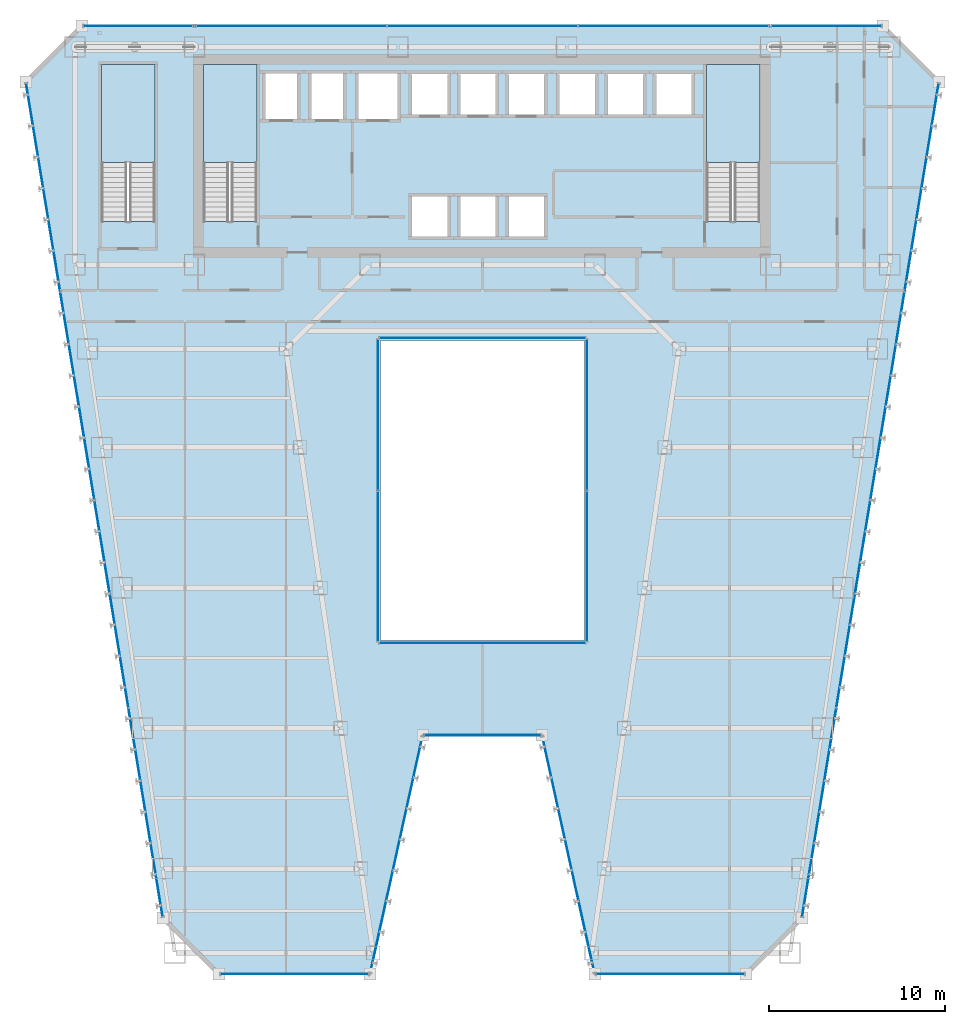
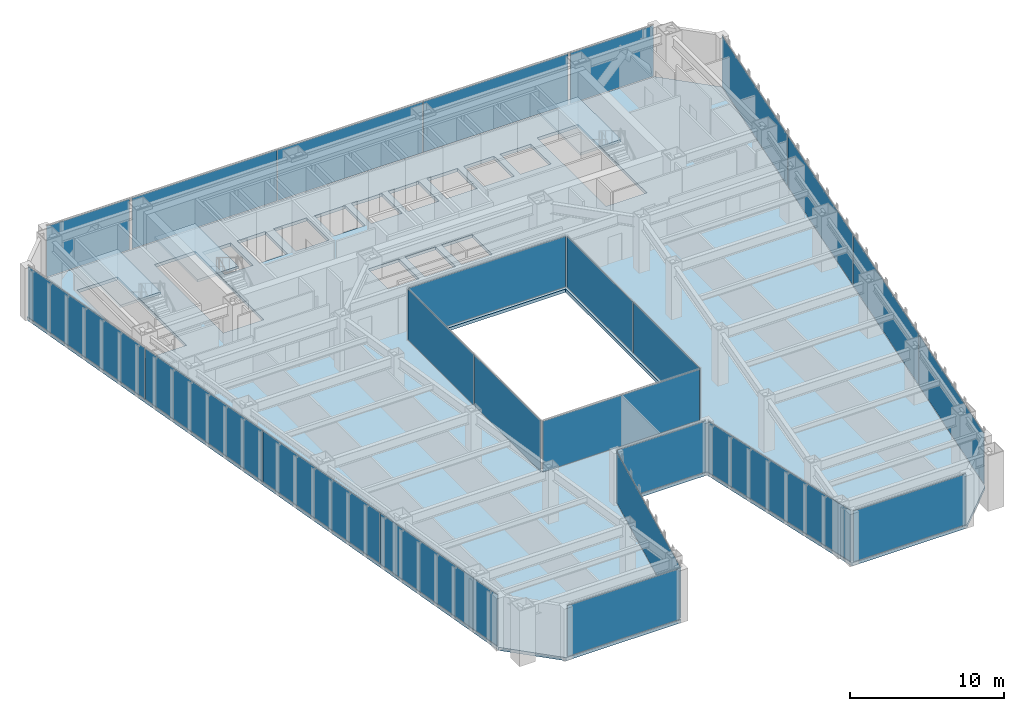
# One storey, part 34 of 47: 24 plates, 4 slabs, 17 elements without a shape of their own.
"""IFC4 building model written with IfcOpenShell, lengths in metres."""

from ifc_helpers import new_model, si_unit, direction, frame, origin, origin_2d, place, context, subcontext, project, spatial, polyline, rectangle, outline, extrude, material, layer, layer_set, type_object, element, aggregate, save


model = new_model("IFC4")

# Units and contexts
model_context = context("Model", 3, precision=1e-05, world=origin(), true_north=direction((0.0, 1.0)))
body_context = subcontext(model_context, "Body", "Model", "MODEL_VIEW")
ifc_project = project(units=[si_unit("LENGTHUNIT", "METRE"), si_unit("AREAUNIT", "SQUARE_METRE"), si_unit("VOLUMEUNIT", "CUBIC_METRE"), si_unit("PLANEANGLEUNIT", "RADIAN"), si_unit("MASSUNIT", "GRAM", prefix="KILO")], contexts=[model_context])

# Site, building, storey
site_placement = place(None, origin())
site = spatial("IfcSite", under=ifc_project, at=site_placement, CompositionType="ELEMENT")
building_placement = place(site_placement, origin())
building = spatial("IfcBuilding", under=site, at=building_placement, Name="Saevonmaru Cultural Tower", CompositionType="ELEMENT")
storey_placement = place(building_placement, frame((0.0, 0.0, 42.800048828125)))
storey = spatial("IfcBuildingStorey", under=building, at=storey_placement, Name="L08", CompositionType="ELEMENT", Elevation=42.800048828125)

# Curtain wall, plate
ifc_material_1 = material(Name="Satin Bronze Anodised Aluminium", Category="aluminium")
curtain_wall_type_1 = type_object("IfcCurtainWallType", Name="CW-ATR-GLZ", PredefinedType="NOTDEFINED", material=ifc_material_1)
curtain_wall_1_placement = place(storey_placement, origin())
curtain_wall_1 = element("IfcCurtainWall", 1, at=curtain_wall_1_placement, inside=storey, type_object=curtain_wall_type_1, Name="L08 Vertical Atrium Glazed Smoke Screen 1", PredefinedType="NOTDEFINED")
ifc_material_2 = material(Name="Fire-Rated Laminated Atrium Glass", Category="glass")
ifc_layer_1 = layer(ifc_material_2, 0.031982421875, Name="Fire-Rated Laminated Atrium Glass")
ifc_layer_set_1 = layer_set([ifc_layer_1], Name="Fire-Rated Laminated Atrium Glass")
plate_type_1 = type_object("IfcPlateType", Name="PN-GLZ-ATR-INT", PredefinedType="CURTAIN_PANEL", material=ifc_layer_set_1)
plate_1_placement = place(storey_placement, frame((30.0, 20.85009765625, 0.06689453125), z_axis=(0.0, 0.0, 1.0), x_axis=(1.0, 0.0, 0.0)))
plate_1 = element("IfcPlate", 2, at=plate_1_placement, type_object=plate_type_1, Name="CW-ATR-L08-1 panel 1.1", PredefinedType="CURTAIN_PANEL", context=body_context, shape_type="SweptSolid", body=[
    extrude(rectangle(XDim=11.7109375, YDim=0.031982421875, at=origin_2d()), origin(), (0.0, 0.0, 1.0), 4.01611328125),
])
aggregate(curtain_wall_1, [plate_1])

# Curtain wall, plates
curtain_wall_2_placement = place(storey_placement, origin())
curtain_wall_2 = element("IfcCurtainWall", 3, at=curtain_wall_2_placement, inside=storey, type_object=curtain_wall_type_1, Name="L08 Vertical Atrium Glazed Smoke Screen 2", PredefinedType="NOTDEFINED")
plate_2_placement = place(storey_placement, frame((35.949951171875, 25.22509765625, 0.06689453125), z_axis=(0.0, 0.0, 1.0), x_axis=(0.0, 1.0, 0.0)))
plate_2 = element("IfcPlate", 4, at=plate_2_placement, type_object=plate_type_1, Name="CW-ATR-L08-2 panel 1.1", PredefinedType="CURTAIN_PANEL", context=body_context, shape_type="SweptSolid", body=[
    extrude(rectangle(XDim=8.56103515625, YDim=0.031982421875, at=origin_2d()), origin(), (0.0, 0.0, 1.0), 4.01611328125),
])
plate_3_placement = place(storey_placement, frame((35.949951171875, 33.85498046875, 0.06689453125), z_axis=(0.0, 0.0, 1.0), x_axis=(0.0, 1.0, 0.0)))
plate_3 = element("IfcPlate", 5, at=plate_3_placement, type_object=plate_type_1, Name="CW-ATR-L08-2 panel 2.1", PredefinedType="CURTAIN_PANEL", context=body_context, shape_type="SweptSolid", body=[
    extrude(rectangle(XDim=8.56103515625, YDim=0.031982421875, at=origin_2d()), origin(), (0.0, 0.0, 1.0), 4.01611328125),
])
aggregate(curtain_wall_2, [plate_2, plate_3])

# Curtain wall, plate
curtain_wall_3_placement = place(storey_placement, origin())
curtain_wall_3 = element("IfcCurtainWall", 6, at=curtain_wall_3_placement, inside=storey, type_object=curtain_wall_type_1, Name="L08 Vertical Atrium Glazed Smoke Screen 3", PredefinedType="NOTDEFINED")
plate_4_placement = place(storey_placement, frame((30.0, 38.22998046875, 0.06689453125), z_axis=(0.0, 0.0, 1.0), x_axis=(-1.0, 0.0, 0.0)))
plate_4 = element("IfcPlate", 7, at=plate_4_placement, type_object=plate_type_1, Name="CW-ATR-L08-3 panel 1.1", PredefinedType="CURTAIN_PANEL", context=body_context, shape_type="SweptSolid", body=[
    extrude(rectangle(XDim=11.7109375, YDim=0.031982421875, at=origin_2d()), origin(), (0.0, 0.0, 1.0), 4.01611328125),
])
aggregate(curtain_wall_3, [plate_4])

# Curtain wall, plates
curtain_wall_4_placement = place(storey_placement, origin())
curtain_wall_4 = element("IfcCurtainWall", 8, at=curtain_wall_4_placement, inside=storey, type_object=curtain_wall_type_1, Name="L08 Vertical Atrium Glazed Smoke Screen 4", PredefinedType="NOTDEFINED")
plate_5_placement = place(storey_placement, frame((24.050048828125, 33.85498046875, 0.06689453125), z_axis=(0.0, 0.0, 1.0), x_axis=(0.0, -1.0, 0.0)))
plate_5 = element("IfcPlate", 9, at=plate_5_placement, type_object=plate_type_1, Name="CW-ATR-L08-4 panel 1.1", PredefinedType="CURTAIN_PANEL", context=body_context, shape_type="SweptSolid", body=[
    extrude(rectangle(XDim=8.56103515625, YDim=0.031982421875, at=origin_2d()), origin(), (0.0, 0.0, 1.0), 4.01611328125),
])
plate_6_placement = place(storey_placement, frame((24.050048828125, 25.22509765625, 0.06689453125), z_axis=(0.0, 0.0, 1.0), x_axis=(0.0, -1.0, 0.0)))
plate_6 = element("IfcPlate", 10, at=plate_6_placement, type_object=plate_type_1, Name="CW-ATR-L08-4 panel 2.1", PredefinedType="CURTAIN_PANEL", context=body_context, shape_type="SweptSolid", body=[
    extrude(rectangle(XDim=8.56103515625, YDim=0.031982421875, at=origin_2d()), origin(), (0.0, 0.0, 1.0), 4.01611328125),
])
aggregate(curtain_wall_4, [plate_5, plate_6])

# Curtain wall, plate
curtain_wall_type_2 = type_object("IfcCurtainWallType", Name="CW-TYP-A", PredefinedType="NOTDEFINED", material=ifc_material_1)
curtain_wall_5_placement = place(storey_placement, origin())
curtain_wall_5 = element("IfcCurtainWall", 11, at=curtain_wall_5_placement, inside=storey, type_object=curtain_wall_type_2, Name="L08 Unitised Curtain Wall E2", PredefinedType="NOTDEFINED")
ifc_material_3 = material(Name="Triple Silver Low-E Insulating Glass", Category="glass")
ifc_layer_2 = layer(ifc_material_3, 0.035888671875, Name="Triple Silver Low-E Insulating Glass")
ifc_layer_set_2 = layer_set([ifc_layer_2], Name="Triple Silver Low-E Insulating Glass")
plate_type_2 = type_object("IfcPlateType", Name="PN-GLZ-IGU", PredefinedType="CURTAIN_PANEL", material=ifc_layer_set_2)
plate_7_placement = place(storey_placement, frame((19.300048828125, 2.0, 0.06689453125), z_axis=(0.0, 0.0, 1.0), x_axis=(1.0, 0.0, 0.0)))
plate_7 = element("IfcPlate", 12, at=plate_7_placement, type_object=plate_type_2, Name="CW-TW-L08-E2 panel 1.1", PredefinedType="CURTAIN_PANEL", context=body_context, shape_type="SweptSolid", body=[
    extrude(rectangle(XDim=8.410888671875, YDim=0.035888671875, at=origin_2d()), origin(), (0.0, 0.0, 1.0), 4.01611328125),
])
aggregate(curtain_wall_5, [plate_7])

curtain_wall_6_placement = place(storey_placement, origin())
curtain_wall_6 = element("IfcCurtainWall", 13, at=curtain_wall_6_placement, inside=storey, type_object=curtain_wall_type_2, Name="L08 Unitised Curtain Wall E3", PredefinedType="NOTDEFINED")
plate_8_placement = place(storey_placement, frame((25.10009765625, 8.800048828125, 0.06689453125), z_axis=(0.0, 0.0, 1.0), x_axis=(0.215413319953, 0.976522965212, 0.0)))
plate_8 = element("IfcPlate", 14, at=plate_8_placement, type_object=plate_type_2, Name="CW-TW-L08-E3 panel 1.1", PredefinedType="CURTAIN_PANEL", context=body_context, shape_type="SweptSolid", body=[
    extrude(rectangle(XDim=13.738037109375, YDim=0.035888671875, at=origin_2d()), origin(), (0.0, 0.0, 1.0), 4.01611328125),
])
aggregate(curtain_wall_6, [plate_8])

curtain_wall_7_placement = place(storey_placement, origin())
curtain_wall_7 = element("IfcCurtainWall", 15, at=curtain_wall_7_placement, inside=storey, type_object=curtain_wall_type_2, Name="L08 Unitised Curtain Wall E4", PredefinedType="NOTDEFINED")
plate_9_placement = place(storey_placement, frame((30.0, 15.60009765625, 0.06689453125), z_axis=(0.0, 0.0, 1.0), x_axis=(1.0, 0.0, 0.0)))
plate_9 = element("IfcPlate", 16, at=plate_9_placement, type_object=plate_type_2, Name="CW-TW-L08-E4 panel 1.1", PredefinedType="CURTAIN_PANEL", context=body_context, shape_type="SweptSolid", body=[
    extrude(rectangle(XDim=6.611083984375, YDim=0.035888671875, at=origin_2d()), origin(), (0.0, 0.0, 1.0), 4.01611328125),
])
aggregate(curtain_wall_7, [plate_9])

curtain_wall_8_placement = place(storey_placement, origin())
curtain_wall_8 = element("IfcCurtainWall", 17, at=curtain_wall_8_placement, inside=storey, type_object=curtain_wall_type_2, Name="L08 Unitised Curtain Wall E5", PredefinedType="NOTDEFINED")
plate_10_placement = place(storey_placement, frame((34.89990234375, 8.800048828125, 0.06689453125), z_axis=(0.0, 0.0, 1.0), x_axis=(0.215413319953, -0.976522965212, 0.0)))
plate_10 = element("IfcPlate", 18, at=plate_10_placement, type_object=plate_type_2, Name="CW-TW-L08-E5 panel 1.1", PredefinedType="CURTAIN_PANEL", context=body_context, shape_type="SweptSolid", body=[
    extrude(rectangle(XDim=13.738037109375, YDim=0.035888671875, at=origin_2d()), origin(), (0.0, 0.0, 1.0), 4.01611328125),
])
aggregate(curtain_wall_8, [plate_10])

curtain_wall_9_placement = place(storey_placement, origin())
curtain_wall_9 = element("IfcCurtainWall", 19, at=curtain_wall_9_placement, inside=storey, type_object=curtain_wall_type_2, Name="L08 Unitised Curtain Wall E6", PredefinedType="NOTDEFINED")
plate_11_placement = place(storey_placement, frame((40.699951171875, 2.0, 0.06689453125), z_axis=(0.0, 0.0, 1.0), x_axis=(1.0, 0.0, 0.0)))
plate_11 = element("IfcPlate", 20, at=plate_11_placement, type_object=plate_type_2, Name="CW-TW-L08-E6 panel 1.1", PredefinedType="CURTAIN_PANEL", context=body_context, shape_type="SweptSolid", body=[
    extrude(rectangle(XDim=8.410888671875, YDim=0.035888671875, at=origin_2d()), origin(), (0.0, 0.0, 1.0), 4.01611328125),
])
aggregate(curtain_wall_9, [plate_11])

# Curtain wall, plates
curtain_wall_10_placement = place(storey_placement, origin())
curtain_wall_10 = element("IfcCurtainWall", 21, at=curtain_wall_10_placement, inside=storey, type_object=curtain_wall_type_2, Name="L08 Unitised Curtain Wall E8", PredefinedType="NOTDEFINED")
plate_12_placement = place(storey_placement, frame((49.182373046875, 11.1943359375, 0.06689453125), z_axis=(0.0, 0.0, 1.0), x_axis=(0.161708868641, 0.986838508472, 0.0)))
plate_12 = element("IfcPlate", 22, at=plate_12_placement, type_object=plate_type_2, Name="CW-TW-L08-E8 panel 1.1", PredefinedType="CURTAIN_PANEL", context=body_context, shape_type="SweptSolid", body=[
    extrude(rectangle(XDim=11.959716796875, YDim=0.035888671875, at=origin_2d()), origin(), (0.0, 0.0, 1.0), 4.01611328125),
])
plate_13_placement = place(storey_placement, frame((51.12744140625, 23.064697265625, 0.06689453125), z_axis=(0.0, 0.0, 1.0), x_axis=(0.161708868641, 0.986838508472, 0.0)))
plate_13 = element("IfcPlate", 23, at=plate_13_placement, type_object=plate_type_2, Name="CW-TW-L08-E8 panel 2.1", PredefinedType="CURTAIN_PANEL", context=body_context, shape_type="SweptSolid", body=[
    extrude(rectangle(XDim=11.959716796875, YDim=0.035888671875, at=origin_2d()), origin(), (0.0, 0.0, 1.0), 4.01611328125),
])
plate_14_placement = place(storey_placement, frame((53.072509765625, 34.935302734375, 0.06689453125), z_axis=(0.0, 0.0, 1.0), x_axis=(0.161708868641, 0.986838508472, 0.0)))
plate_14 = element("IfcPlate", 24, at=plate_14_placement, type_object=plate_type_2, Name="CW-TW-L08-E8 panel 3.1", PredefinedType="CURTAIN_PANEL", context=body_context, shape_type="SweptSolid", body=[
    extrude(rectangle(XDim=11.959716796875, YDim=0.035888671875, at=origin_2d()), origin(), (0.0, 0.0, 1.0), 4.01611328125),
])
plate_15_placement = place(storey_placement, frame((55.017822265625, 46.8056640625, 0.06689453125), z_axis=(0.0, 0.0, 1.0), x_axis=(0.161708868641, 0.986838508472, 0.0)))
plate_15 = element("IfcPlate", 25, at=plate_15_placement, type_object=plate_type_2, Name="CW-TW-L08-E8 panel 4.1", PredefinedType="CURTAIN_PANEL", context=body_context, shape_type="SweptSolid", body=[
    extrude(rectangle(XDim=11.959716796875, YDim=0.035888671875, at=origin_2d()), origin(), (0.0, 0.0, 1.0), 4.01611328125),
])
aggregate(curtain_wall_10, [plate_12, plate_13, plate_14, plate_15])

curtain_wall_11_placement = place(storey_placement, origin())
curtain_wall_11 = element("IfcCurtainWall", 26, at=curtain_wall_11_placement, inside=storey, type_object=curtain_wall_type_2, Name="L08 North Spine Unitised Curtain Wall E10B", PredefinedType="NOTDEFINED")
plate_16_placement = place(storey_placement, frame((40.893310546875, 56.0, 0.06689453125), z_axis=(0.0, 0.0, 1.0), x_axis=(-1.0, 0.0, 0.0)))
plate_16 = element("IfcPlate", 27, at=plate_16_placement, type_object=plate_type_2, Name="CW-TW-L08-E10B panel 1.1", PredefinedType="CURTAIN_PANEL", context=body_context, shape_type="SweptSolid", body=[
    extrude(rectangle(XDim=10.82421875, YDim=0.035888671875, at=origin_2d()), origin(), (0.0, 0.0, 1.0), 4.01611328125),
])
plate_17_placement = place(storey_placement, frame((30.0, 56.0, 0.06689453125), z_axis=(0.0, 0.0, 1.0), x_axis=(-1.0, 0.0, 0.0)))
plate_17 = element("IfcPlate", 28, at=plate_17_placement, type_object=plate_type_2, Name="CW-TW-L08-E10B panel 2.1", PredefinedType="CURTAIN_PANEL", context=body_context, shape_type="SweptSolid", body=[
    extrude(rectangle(XDim=10.82421875, YDim=0.035888671875, at=origin_2d()), origin(), (0.0, 0.0, 1.0), 4.01611328125),
])
plate_18_placement = place(storey_placement, frame((19.106689453125, 56.0, 0.06689453125), z_axis=(0.0, 0.0, 1.0), x_axis=(-1.0, 0.0, 0.0)))
plate_18 = element("IfcPlate", 29, at=plate_18_placement, type_object=plate_type_2, Name="CW-TW-L08-E10B panel 3.1", PredefinedType="CURTAIN_PANEL", context=body_context, shape_type="SweptSolid", body=[
    extrude(rectangle(XDim=10.82421875, YDim=0.035888671875, at=origin_2d()), origin(), (0.0, 0.0, 1.0), 4.01611328125),
])
aggregate(curtain_wall_11, [plate_16, plate_17, plate_18])

curtain_wall_12_placement = place(storey_placement, origin())
curtain_wall_12 = element("IfcCurtainWall", 30, at=curtain_wall_12_placement, inside=storey, type_object=curtain_wall_type_2, Name="L08 Unitised Curtain Wall E12", PredefinedType="NOTDEFINED")
plate_19_placement = place(storey_placement, frame((4.982177734375, 46.8056640625, 0.06689453125), z_axis=(0.0, 0.0, 1.0), x_axis=(0.161708868641, -0.986838508472, 0.0)))
plate_19 = element("IfcPlate", 31, at=plate_19_placement, type_object=plate_type_2, Name="CW-TW-L08-E12 panel 1.1", PredefinedType="CURTAIN_PANEL", context=body_context, shape_type="SweptSolid", body=[
    extrude(rectangle(XDim=11.959716796875, YDim=0.035888671875, at=origin_2d()), origin(), (0.0, 0.0, 1.0), 4.01611328125),
])
plate_20_placement = place(storey_placement, frame((6.927490234375, 34.935302734375, 0.06689453125), z_axis=(0.0, 0.0, 1.0), x_axis=(0.161708868641, -0.986838508472, 0.0)))
plate_20 = element("IfcPlate", 32, at=plate_20_placement, type_object=plate_type_2, Name="CW-TW-L08-E12 panel 2.1", PredefinedType="CURTAIN_PANEL", context=body_context, shape_type="SweptSolid", body=[
    extrude(rectangle(XDim=11.959716796875, YDim=0.035888671875, at=origin_2d()), origin(), (0.0, 0.0, 1.0), 4.01611328125),
])
plate_21_placement = place(storey_placement, frame((8.87255859375, 23.064697265625, 0.06689453125), z_axis=(0.0, 0.0, 1.0), x_axis=(0.161708868641, -0.986838508472, 0.0)))
plate_21 = element("IfcPlate", 33, at=plate_21_placement, type_object=plate_type_2, Name="CW-TW-L08-E12 panel 3.1", PredefinedType="CURTAIN_PANEL", context=body_context, shape_type="SweptSolid", body=[
    extrude(rectangle(XDim=11.959716796875, YDim=0.035888671875, at=origin_2d()), origin(), (0.0, 0.0, 1.0), 4.01611328125),
])
plate_22_placement = place(storey_placement, frame((10.817626953125, 11.1943359375, 0.06689453125), z_axis=(0.0, 0.0, 1.0), x_axis=(0.161708868641, -0.986838508472, 0.0)))
plate_22 = element("IfcPlate", 34, at=plate_22_placement, type_object=plate_type_2, Name="CW-TW-L08-E12 panel 4.1", PredefinedType="CURTAIN_PANEL", context=body_context, shape_type="SweptSolid", body=[
    extrude(rectangle(XDim=11.959716796875, YDim=0.035888671875, at=origin_2d()), origin(), (0.0, 0.0, 1.0), 4.01611328125),
])
aggregate(curtain_wall_12, [plate_19, plate_20, plate_21, plate_22])

# Curtain wall, plate
curtain_wall_13_placement = place(storey_placement, origin())
curtain_wall_13 = element("IfcCurtainWall", 35, at=curtain_wall_13_placement, inside=storey, type_object=curtain_wall_type_2, Name="L08 East Braced Bay Spandrel Curtain Wall E10A", PredefinedType="NOTDEFINED")
ifc_material_4 = material(Name="Insulated Satin Bronze Aluminium Spandrel Panel", Category="aluminium")
ifc_layer_3 = layer(ifc_material_4, 0.0400390625, Name="Insulated Satin Bronze Aluminium Spandrel Panel")
ifc_layer_set_3 = layer_set([ifc_layer_3], Name="Insulated Satin Bronze Aluminium Spandrel Panel")
plate_type_3 = type_object("IfcPlateType", Name="PN-SPANDREL-BRONZE", PredefinedType="CURTAIN_PANEL", material=ifc_layer_set_3)
plate_23_placement = place(storey_placement, frame((49.60009765625, 56.0, 0.06689453125), z_axis=(0.0, 0.0, 1.0), x_axis=(-1.0, 0.0, 0.0)))
plate_23 = element("IfcPlate", 36, at=plate_23_placement, type_object=plate_type_3, Name="CW-TW-L08-E10A panel 1.1", PredefinedType="CURTAIN_PANEL", context=body_context, shape_type="SweptSolid", body=[
    extrude(rectangle(XDim=6.2109375, YDim=0.035888671875, at=origin_2d()), origin(), (0.0, 0.0, 1.0), 4.01611328125),
])
aggregate(curtain_wall_13, [plate_23])

curtain_wall_14_placement = place(storey_placement, origin())
curtain_wall_14 = element("IfcCurtainWall", 37, at=curtain_wall_14_placement, inside=storey, type_object=curtain_wall_type_2, Name="L08 West Braced Bay Spandrel Curtain Wall E10C", PredefinedType="NOTDEFINED")
plate_24_placement = place(storey_placement, frame((10.39990234375, 56.0, 0.06689453125), z_axis=(0.0, 0.0, 1.0), x_axis=(-1.0, 0.0, 0.0)))
plate_24 = element("IfcPlate", 38, at=plate_24_placement, type_object=plate_type_3, Name="CW-TW-L08-E10C panel 1.1", PredefinedType="CURTAIN_PANEL", context=body_context, shape_type="SweptSolid", body=[
    extrude(rectangle(XDim=6.2109375, YDim=0.035888671875, at=origin_2d()), origin(), (0.0, 0.0, 1.0), 4.01611328125),
])
aggregate(curtain_wall_14, [plate_24])

# Slab
ifc_material_5 = material(Name="Concrete C40/50", Category="concrete")
ifc_layer_4 = layer(ifc_material_5, 0.25, Name="Concrete C40/50")
ifc_layer_set_4 = layer_set([ifc_layer_4], Name="Concrete C40/50")
slab_type_1 = type_object("IfcSlabType", Name="SL-FLR-250", PredefinedType="FLOOR", material=ifc_layer_set_4)
slab_1_placement = place(storey_placement, frame((0.0, 0.0, -0.25)))
element("IfcSlab", 39, at=slab_1_placement, inside=storey, type_object=slab_type_1, Name="L08 Tower Structural Floor Slab", PredefinedType="FLOOR", context=body_context, shape_type="SweptSolid", body=[
    extrude(outline(polyline([(11.800048828125, 5.199951171875), (15.0, 2.0), (23.60009765625, 2.0), (26.60009765625, 15.60009765625), (33.39990234375, 15.60009765625), (36.39990234375, 2.0), (45.0, 2.0), (48.199951171875, 5.199951171875), (56.0, 52.800048828125), (52.800048828125, 56.0), (7.199951171875, 56.0), (4.0, 52.800048828125), (11.800048828125, 5.199951171875)]), holes=[polyline([(45.800048828125, 44.875), (42.75, 44.875), (42.75, 53.800048828125), (45.800048828125, 53.800048828125), (45.800048828125, 44.875)]), polyline([(39.75, 50.800048828125), (39.75, 53.39990234375), (42.050048828125, 53.39990234375), (42.050048828125, 50.800048828125), (39.75, 50.800048828125)]), polyline([(37.0, 50.800048828125), (37.0, 53.39990234375), (39.300048828125, 53.39990234375), (39.300048828125, 50.800048828125), (37.0, 50.800048828125)]), polyline([(34.25, 50.800048828125), (34.25, 53.39990234375), (36.550048828125, 53.39990234375), (36.550048828125, 50.800048828125), (34.25, 50.800048828125)]), polyline([(24.199951171875, 21.0), (24.199951171875, 38.080078125), (35.800048828125, 38.080078125), (35.800048828125, 21.0), (24.199951171875, 21.0)]), polyline([(31.35009765625, 50.800048828125), (31.35009765625, 53.39990234375), (33.64990234375, 53.39990234375), (33.64990234375, 50.800048828125), (31.35009765625, 50.800048828125)]), polyline([(31.35009765625, 43.85009765625), (31.35009765625, 46.449951171875), (33.64990234375, 46.449951171875), (33.64990234375, 43.85009765625), (31.35009765625, 43.85009765625)]), polyline([(28.60009765625, 43.85009765625), (28.60009765625, 46.449951171875), (30.89990234375, 46.449951171875), (30.89990234375, 43.85009765625), (28.60009765625, 43.85009765625)]), polyline([(28.60009765625, 50.800048828125), (28.60009765625, 53.39990234375), (30.89990234375, 53.39990234375), (30.89990234375, 50.800048828125), (28.60009765625, 50.800048828125)]), polyline([(25.85009765625, 50.800048828125), (25.85009765625, 53.39990234375), (28.14990234375, 53.39990234375), (28.14990234375, 50.800048828125), (25.85009765625, 50.800048828125)]), polyline([(25.85009765625, 43.85009765625), (25.85009765625, 46.449951171875), (28.14990234375, 46.449951171875), (28.14990234375, 43.85009765625), (25.85009765625, 43.85009765625)]), polyline([(22.800048828125, 50.550048828125), (22.800048828125, 53.449951171875), (25.300048828125, 53.449951171875), (25.300048828125, 50.550048828125), (22.800048828125, 50.550048828125)]), polyline([(20.10009765625, 50.550048828125), (20.10009765625, 53.449951171875), (22.199951171875, 53.449951171875), (22.199951171875, 50.550048828125), (20.10009765625, 50.550048828125)]), polyline([(17.5, 50.550048828125), (17.5, 53.449951171875), (19.60009765625, 53.449951171875), (19.60009765625, 50.550048828125), (17.5, 50.550048828125)]), polyline([(17.14990234375, 44.875), (14.10009765625, 44.875), (14.10009765625, 53.800048828125), (17.14990234375, 53.800048828125), (17.14990234375, 44.875)]), polyline([(11.35009765625, 44.875), (8.300048828125, 44.875), (8.300048828125, 53.800048828125), (11.35009765625, 53.800048828125), (11.35009765625, 44.875)])]), origin(), (0.0, 0.0, 1.0), 0.25),
])

# Stair, slab
stair_type = type_object("IfcStairType", Name="STR-DOGLEG-RC", PredefinedType="HALF_TURN_STAIR", material=ifc_material_5)
stair_1_placement = place(storey_placement, origin())
stair_1 = element("IfcStair", 40, at=stair_1_placement, inside=storey, type_object=stair_type, Name="L08 Protected exit stair ST-1", PredefinedType="HALF_TURN_STAIR")
ifc_layer_5 = layer(ifc_material_5, 0.199951171875, Name="Concrete C40/50")
ifc_layer_set_5 = layer_set([ifc_layer_5], Name="Concrete C40/50")
slab_type_2 = type_object("IfcSlabType", Name="SL-STAIR-LANDING", PredefinedType="LANDING", material=ifc_layer_set_5)
slab_2_placement = place(storey_placement, frame((0.0, 0.0, 2.0)))
slab_2 = element("IfcSlab", 41, at=slab_2_placement, type_object=slab_type_2, Name="ST-1-L08 landing 1", PredefinedType="LANDING", context=body_context, shape_type="SweptSolid", body=[
    extrude(outline(polyline([(17.14990234375, 48.2099609375), (17.14990234375, 53.800048828125), (14.10009765625, 53.800048828125), (14.10009765625, 48.2099609375), (17.14990234375, 48.2099609375)])), origin(), (0.0, 0.0, 1.0), 0.199951171875),
])
aggregate(stair_1, [slab_2])

stair_2_placement = place(storey_placement, origin())
stair_2 = element("IfcStair", 42, at=stair_2_placement, inside=storey, type_object=stair_type, Name="L08 Protected exit stair ST-2", PredefinedType="HALF_TURN_STAIR")
slab_3_placement = place(storey_placement, frame((0.0, 0.0, 2.0)))
slab_3 = element("IfcSlab", 43, at=slab_3_placement, type_object=slab_type_2, Name="ST-2-L08 landing 1", PredefinedType="LANDING", context=body_context, shape_type="SweptSolid", body=[
    extrude(outline(polyline([(45.800048828125, 48.2099609375), (45.800048828125, 53.800048828125), (42.75, 53.800048828125), (42.75, 48.2099609375), (45.800048828125, 48.2099609375)])), origin(), (0.0, 0.0, 1.0), 0.199951171875),
])
aggregate(stair_2, [slab_3])

stair_3_placement = place(storey_placement, origin())
stair_3 = element("IfcStair", 44, at=stair_3_placement, inside=storey, type_object=stair_type, Name="L08 Protected exit stair ST-3", PredefinedType="HALF_TURN_STAIR")
slab_4_placement = place(storey_placement, frame((0.0, 0.0, 2.0)))
slab_4 = element("IfcSlab", 45, at=slab_4_placement, type_object=slab_type_2, Name="ST-3-L08 landing 1", PredefinedType="LANDING", context=body_context, shape_type="SweptSolid", body=[
    extrude(outline(polyline([(11.35009765625, 48.2099609375), (11.35009765625, 53.800048828125), (8.300048828125, 53.800048828125), (8.300048828125, 48.2099609375), (11.35009765625, 48.2099609375)])), origin(), (0.0, 0.0, 1.0), 0.199951171875),
])
aggregate(stair_3, [slab_4])

save(model, "model.ifc")
